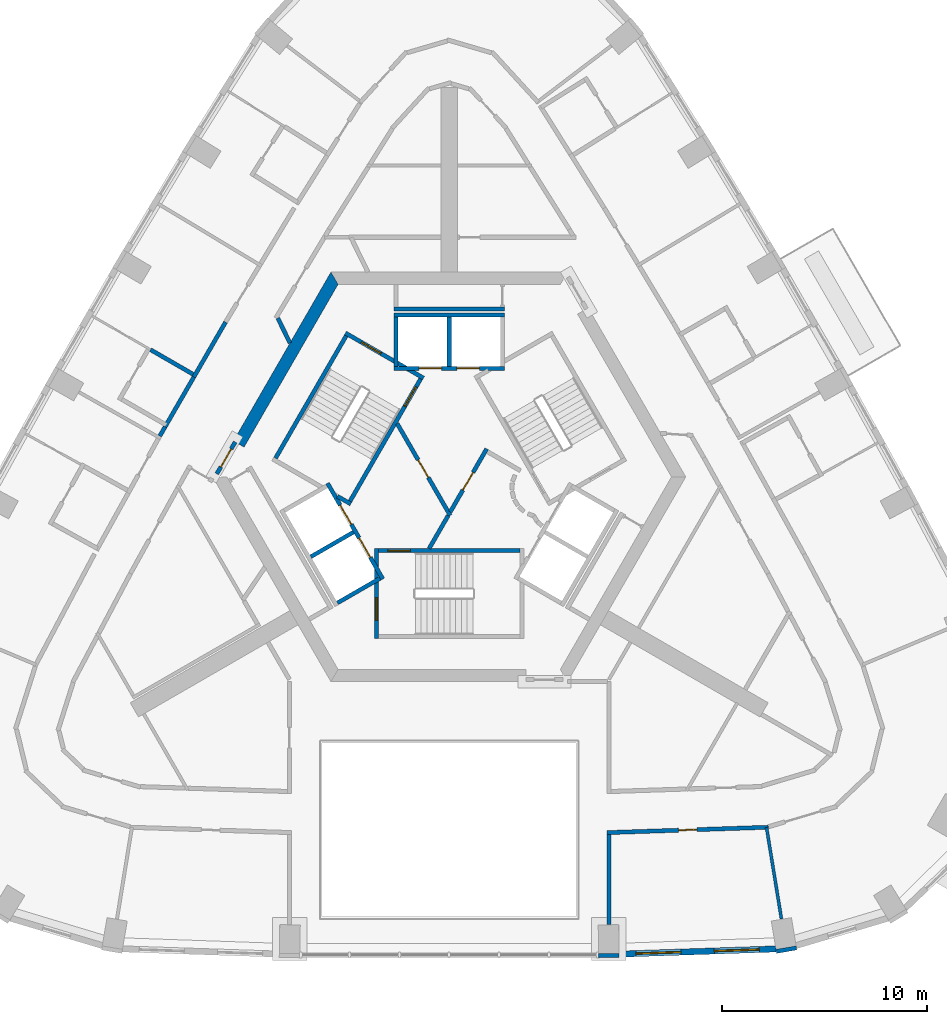
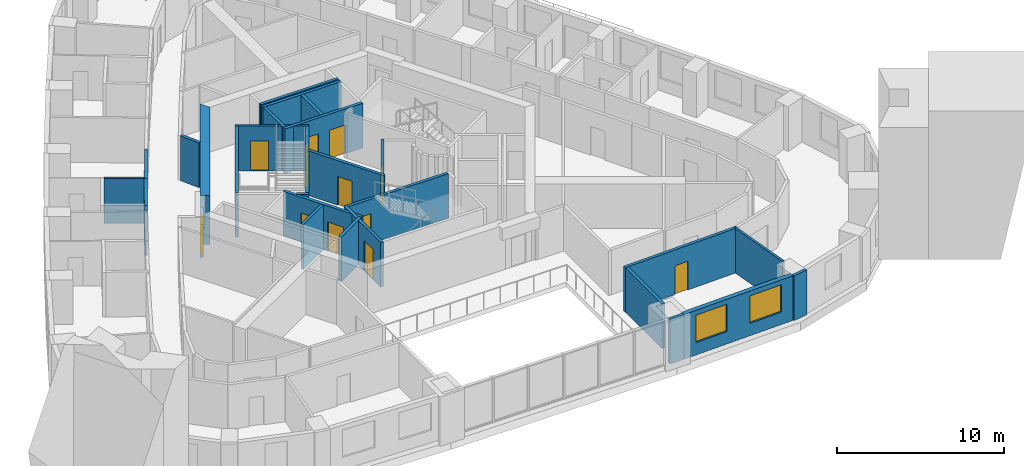
# One storey, part 5 of 13: 30 walls, 12 doors, 2 windows, 14 openings.
"""IFC4 building model written with IfcOpenShell, lengths in metres."""

from ifc_helpers import new_model, si_unit, direction, frame, frame_2d, origin, place, context, subcontext, project, spatial, polyline, rectangle, outline, extrude, material, layer, layer_set, type_object, element, fill, save


model = new_model("IFC4")

# Units and contexts
model_context = context("Model", 3, precision=1e-05, world=origin(), true_north=direction((0.0, 1.0)))
body_context = subcontext(model_context, "Body", "Model", "MODEL_VIEW")
ifc_project = project(units=[si_unit("LENGTHUNIT", "METRE"), si_unit("AREAUNIT", "SQUARE_METRE"), si_unit("VOLUMEUNIT", "CUBIC_METRE"), si_unit("PLANEANGLEUNIT", "RADIAN"), si_unit("MASSUNIT", "GRAM", prefix="KILO")], contexts=[model_context])

# Site, building, storey
site_placement = place(None, origin())
site = spatial("IfcSite", under=ifc_project, at=site_placement, CompositionType="ELEMENT")
building_placement = place(site_placement, origin())
building = spatial("IfcBuilding", under=site, at=building_placement, Name="Entoto Arch Interchange Tower", CompositionType="ELEMENT")
storey_placement = place(building_placement, frame((0.0, 0.0, 263.0)))
storey = spatial("IfcBuildingStorey", under=building, at=storey_placement, Name="L60", CompositionType="ELEMENT", Elevation=263.0)

# Wall, opening, door
ifc_material_1 = material(Name="Reinforced concrete C40/50", Category="concrete")
ifc_layer_1 = layer(ifc_material_1, 0.199951171875)
ifc_layer_set_1 = layer_set([ifc_layer_1], Name="Reinforced concrete C40/50")
wall_type_1 = type_object("IfcWallType", Name="CORE GAP INFILL WALL", PredefinedType="PARTITIONING", material=ifc_layer_set_1)
wall_1_placement = place(storey_placement, frame((-10.448974609375, 4.202880859375, 0.0), z_axis=(0.0, 0.0, 1.0), x_axis=(-0.499914839587, -0.866074565589, 0.0)))
wall_1 = element("IfcWall", 1, at=wall_1_placement, inside=storey, type_object=wall_type_1, Name="wall:L60:gap3", PredefinedType="PARTITIONING", context=body_context, shape_type="SweptSolid", body=[
    extrude(rectangle(XDim=1.794189453125, YDim=0.199951171875, at=frame_2d((0.89697265625, 0.0))), origin(), (0.0, 0.0, 1.0), 2.39990234375),
])
opening_1_placement = place(wall_1_placement, frame((0.39697265625, 0.0, 0.0)))
opening_1 = element("IfcOpeningElement", 2, at=opening_1_placement, cuts=wall_1, Name="Opening L60-D93", PredefinedType="OPENING", context=body_context, shape_type="SweptSolid", body=[
    extrude(rectangle(XDim=1.0, YDim=2.10009765625, at=frame_2d((0.5, 1.050048828125))), frame((0.0, 0.10986328125, 0.0), z_axis=(0.0, -1.0, 0.0), x_axis=(1.0, 0.0, 0.0)), (0.0, 0.0, 1.0), 0.219970703125),
])
ifc_material_2 = material(Name="Fire-rated Steel S235 door and frame", Category="steel")
door_type_1 = type_object("IfcDoorType", Name="DOOR FD-10 1000x2100", OperationType="SINGLE_SWING_LEFT", PredefinedType="DOOR", material=ifc_material_2)
door_1_placement = place(opening_1_placement, origin())
door_1 = element("IfcDoor", 3, at=door_1_placement, inside=storey, type_object=door_type_1, Name="door:L60:gap3", OperationType="SINGLE_SWING_LEFT", OverallHeight=2.10009765625, OverallWidth=1.0, PredefinedType="DOOR", context=body_context, shape_type="SweptSolid", body=[
    extrude(rectangle(XDim=1.0, YDim=2.10009765625, at=frame_2d((0.5, 1.050048828125))), frame((0.0, 0.02490234375, 0.0), z_axis=(0.0, -1.0, 0.0), x_axis=(1.0, 0.0, 0.0)), (0.0, 0.0, 1.0), 0.050048828125),
])
fill(opening_1, door_1)

# Wall
ifc_material_3 = material(Name="Concrete C40/50", Category="concrete")
ifc_layer_2 = layer(ifc_material_3, 0.60009765625)
ifc_layer_set_2 = layer_set([ifc_layer_2], Name="Concrete C40/50")
wall_type_2 = type_object("IfcWallType", Name="Core wall 600 C40/50", PredefinedType="SHEAR", material=ifc_layer_set_2)
wall_2_placement = place(storey_placement, frame((0.0, 0.0, -0.340087890625)))
element("IfcWall", 4, at=wall_2_placement, inside=storey, type_object=wall_type_2, Name="Core wall NW L60", PredefinedType="SHEAR", context=body_context, shape_type="SweptSolid", body=[
    extrude(outline(polyline([(-10.534912109375, 4.2529296875), (-10.014892578125, 3.952880859375), (-5.427001953125, 11.89990234375), (-5.77392578125, 12.5), (-10.534912109375, 4.2529296875)])), origin(), (0.0, 0.0, 1.0), 3.60009765625),
])

# Wall, openings, doors
ifc_layer_3 = layer(ifc_material_3, 0.199951171875)
ifc_layer_set_3 = layer_set([ifc_layer_3], Name="Concrete C40/50")
wall_type_3 = type_object("IfcWallType", Name="LIFT SHAFT WALL 200", PredefinedType="STANDARD", material=ifc_layer_set_3)
wall_3_placement = place(storey_placement, frame((2.699951171875, 7.800048828125, 0.0), z_axis=(0.0, 0.0, 1.0), x_axis=(-1.0, 0.0, 0.0)))
wall_3 = element("IfcWall", 5, at=wall_3_placement, inside=storey, type_object=wall_type_3, Name="Shaft wall N1 front", PredefinedType="STANDARD", context=body_context, shape_type="SweptSolid", body=[
    extrude(rectangle(XDim=5.39990234375, YDim=0.199951171875, at=frame_2d((2.699951171875, 0.0))), origin(), (0.0, 0.0, 1.0), 3.260009765625),
])
opening_2_placement = place(wall_3_placement, frame((1.22509765625, 0.0, 0.0)))
opening_2 = element("IfcOpeningElement", 6, at=opening_2_placement, cuts=wall_3, Name="Opening LD-HR1-L60", PredefinedType="OPENING", context=body_context, shape_type="SweptSolid", body=[
    extrude(rectangle(XDim=1.10009765625, YDim=2.10009765625, at=frame_2d((0.550048828125, 1.050048828125))), frame((0.0, 0.10986328125, 0.0), z_axis=(0.0, -1.0, 0.0), x_axis=(1.0, 0.0, 0.0)), (0.0, 0.0, 1.0), 0.219970703125),
])
opening_3_placement = place(wall_3_placement, frame((3.074951171875, 0.0, 0.0)))
opening_3 = element("IfcOpeningElement", 7, at=opening_3_placement, cuts=wall_3, Name="Opening LD-HR2-L60", PredefinedType="OPENING", context=body_context, shape_type="SweptSolid", body=[
    extrude(rectangle(XDim=1.10009765625, YDim=2.10009765625, at=frame_2d((0.550048828125, 1.050048828125))), frame((0.0, 0.10986328125, 0.0), z_axis=(0.0, -1.0, 0.0), x_axis=(1.0, 0.0, 0.0)), (0.0, 0.0, 1.0), 0.219970703125),
])
ifc_material_4 = material(Name="Stainless steel 1.4301 panels", Category="steel")
door_type_2 = type_object("IfcDoorType", Name="LIFT LANDING DOOR LD1 1100x2100", OperationType="SLIDING_TO_LEFT", PredefinedType="DOOR", material=ifc_material_4)
door_2_placement = place(opening_2_placement, origin())
door_2 = element("IfcDoor", 8, at=door_2_placement, inside=storey, type_object=door_type_2, Name="Lift landing door HR1 L60", OperationType="SLIDING_TO_LEFT", OverallHeight=2.10009765625, OverallWidth=1.10009765625, PredefinedType="DOOR", context=body_context, shape_type="SweptSolid", body=[
    extrude(rectangle(XDim=1.10009765625, YDim=2.10009765625, at=frame_2d((0.550048828125, 1.050048828125))), frame((0.0, 0.02490234375, 0.0), z_axis=(0.0, -1.0, 0.0), x_axis=(1.0, 0.0, 0.0)), (0.0, 0.0, 1.0), 0.050048828125),
])
fill(opening_2, door_2)
door_3_placement = place(opening_3_placement, origin())
door_3 = element("IfcDoor", 9, at=door_3_placement, inside=storey, type_object=door_type_2, Name="Lift landing door HR2 L60", OperationType="SLIDING_TO_LEFT", OverallHeight=2.10009765625, OverallWidth=1.10009765625, PredefinedType="DOOR", context=body_context, shape_type="SweptSolid", body=[
    extrude(rectangle(XDim=1.10009765625, YDim=2.10009765625, at=frame_2d((0.550048828125, 1.050048828125))), frame((0.0, 0.02490234375, 0.0), z_axis=(0.0, -1.0, 0.0), x_axis=(1.0, 0.0, 0.0)), (0.0, 0.0, 1.0), 0.050048828125),
])
fill(opening_3, door_3)

# Walls
wall_4_placement = place(storey_placement, frame((2.699951171875, 10.39990234375, 0.0), z_axis=(0.0, 0.0, 1.0), x_axis=(-1.0, 0.0, 0.0)))
element("IfcWall", 10, at=wall_4_placement, inside=storey, type_object=wall_type_3, Name="Shaft wall N1 back", PredefinedType="STANDARD", context=body_context, shape_type="SweptSolid", body=[
    extrude(rectangle(XDim=5.39990234375, YDim=0.199951171875, at=frame_2d((2.699951171875, 0.0))), origin(), (0.0, 0.0, 1.0), 3.260009765625),
])
for number, where, z_axis, x_axis, name in (
    (11, (0.0, 7.89990234375, 0.0), (0.0, 0.0, 1.0), (0.0, 1.0, 0.0), "Shaft wall N1 cross 2"),
    (12, (-2.60009765625, 7.89990234375, 0.0), (0.0, 0.0, 1.0), (0.0, 1.0, 0.0), "Shaft wall N1 cross 3"),
):
    element("IfcWall", number, at=place(storey_placement, frame(where, z_axis=z_axis, x_axis=x_axis)), inside=storey, type_object=wall_type_3, Name=name, PredefinedType="STANDARD", context=body_context, shape_type="SweptSolid", body=[
        extrude(rectangle(XDim=2.400146484375, YDim=0.199951171875, at=frame_2d((1.2001953125, 0.0))), origin(), (0.0, 0.0, 1.0), 3.260009765625),
    ])

# Wall, openings, doors
wall_5_placement = place(storey_placement, frame((-5.93994140625, 2.18798828125, 0.0), z_axis=(0.0, 0.0, 1.0), x_axis=(0.500034260056, -0.866005622828, 0.0)))
wall_5 = element("IfcWall", 13, at=wall_5_placement, inside=storey, type_object=wall_type_3, Name="Shaft wall SW1 front", PredefinedType="STANDARD", context=body_context, shape_type="SweptSolid", body=[
    extrude(rectangle(XDim=5.3994140625, YDim=0.199951171875, at=frame_2d((2.69970703125, 0.0))), origin(), (0.0, 0.0, 1.0), 3.260009765625),
])
opening_4_placement = place(wall_5_placement, frame((3.074951171875, 0.0, 0.0)))
opening_4 = element("IfcOpeningElement", 14, at=opening_4_placement, cuts=wall_5, Name="Opening LD-HR4-L60", PredefinedType="OPENING", context=body_context, shape_type="SweptSolid", body=[
    extrude(rectangle(XDim=1.10009765625, YDim=2.10009765625, at=frame_2d((0.550048828125, 1.050048828125))), frame((0.0, 0.10986328125, 0.0), z_axis=(0.0, -1.0, 0.0), x_axis=(1.0, 0.0, 0.0)), (0.0, 0.0, 1.0), 0.219970703125),
])
opening_5_placement = place(wall_5_placement, frame((1.22509765625, 0.0, 0.0)))
opening_5 = element("IfcOpeningElement", 15, at=opening_5_placement, cuts=wall_5, Name="Opening LD-FF2-L60", PredefinedType="OPENING", context=body_context, shape_type="SweptSolid", body=[
    extrude(rectangle(XDim=1.10009765625, YDim=2.10009765625, at=frame_2d((0.550048828125, 1.050048828125))), frame((0.0, 0.10986328125, 0.0), z_axis=(0.0, -1.0, 0.0), x_axis=(1.0, 0.0, 0.0)), (0.0, 0.0, 1.0), 0.219970703125),
])
door_4_placement = place(opening_4_placement, origin())
door_4 = element("IfcDoor", 16, at=door_4_placement, inside=storey, type_object=door_type_2, Name="Lift landing door HR4 L60", OperationType="SLIDING_TO_LEFT", OverallHeight=2.10009765625, OverallWidth=1.10009765625, PredefinedType="DOOR", context=body_context, shape_type="SweptSolid", body=[
    extrude(rectangle(XDim=1.10009765625, YDim=2.10009765625, at=frame_2d((0.550048828125, 1.050048828125))), frame((0.0, 0.02490234375, 0.0), z_axis=(0.0, -1.0, 0.0), x_axis=(1.0, 0.0, 0.0)), (0.0, 0.0, 1.0), 0.050048828125),
])
fill(opening_4, door_4)
door_5_placement = place(opening_5_placement, origin())
door_5 = element("IfcDoor", 17, at=door_5_placement, inside=storey, type_object=door_type_2, Name="Lift landing door FF2 L60", OperationType="SLIDING_TO_LEFT", OverallHeight=2.10009765625, OverallWidth=1.10009765625, PredefinedType="DOOR", context=body_context, shape_type="SweptSolid", body=[
    extrude(rectangle(XDim=1.10009765625, YDim=2.10009765625, at=frame_2d((0.550048828125, 1.050048828125))), frame((0.0, 0.02490234375, 0.0), z_axis=(0.0, -1.0, 0.0), x_axis=(1.0, 0.0, 0.0)), (0.0, 0.0, 1.0), 0.050048828125),
])
fill(opening_5, door_5)

# Walls
wall_6_placement = place(storey_placement, frame((-4.677001953125, -0.199951171875, 0.0), z_axis=(0.0, 0.0, 1.0), x_axis=(-0.865973769406, -0.500089422704, 0.0)))
element("IfcWall", 18, at=wall_6_placement, inside=storey, type_object=wall_type_3, Name="Shaft wall SW1 cross 2", PredefinedType="STANDARD", context=body_context, shape_type="SweptSolid", body=[
    extrude(rectangle(XDim=2.3994140625, YDim=0.199951171875, at=frame_2d((1.19970703125, 0.0))), origin(), (0.0, 0.0, 1.0), 3.260009765625),
])
wall_7_placement = place(storey_placement, frame((-3.376953125, -2.451904296875, 0.0), z_axis=(0.0, 0.0, 1.0), x_axis=(-0.865955154139, -0.50012165622, 0.0)))
element("IfcWall", 19, at=wall_7_placement, inside=storey, type_object=wall_type_3, Name="Shaft wall SW1 cross 3", PredefinedType="STANDARD", context=body_context, shape_type="SweptSolid", body=[
    extrude(rectangle(XDim=2.39990234375, YDim=0.199951171875, at=frame_2d((1.199951171875, 0.0))), origin(), (0.0, 0.0, 1.0), 3.260009765625),
])
ifc_material_5 = material(Name="Gypsum board partition on steel studs", Category="steel")
ifc_layer_4 = layer(ifc_material_5, 0.14990234375)
ifc_layer_set_4 = layer_set([ifc_layer_4], Name="Gypsum board partition on steel studs")
wall_type_4 = type_object("IfcWallType", Name="PARTITION 150", PredefinedType="PARTITIONING", material=ifc_layer_set_4)
wall_8_placement = place(storey_placement, frame((15.490966796875, -14.610107421875, 0.0), z_axis=(0.0, 0.0, 1.0), x_axis=(0.160928343418, -0.986966092774, 0.0)))
element("IfcWall", 20, at=wall_8_placement, inside=storey, type_object=wall_type_4, Name="wall:L60:p111", PredefinedType="PARTITIONING", context=body_context, shape_type="SweptSolid", body=[
    extrude(rectangle(XDim=4.530029296875, YDim=0.14990234375, at=frame_2d((2.26513671875, 0.0))), origin(), (0.0, 0.0, 1.0), 3.260009765625),
])
ifc_layer_5 = layer(ifc_material_5, 0.199951171875)
ifc_layer_set_5 = layer_set([ifc_layer_5], Name="Gypsum board partition on steel studs")
wall_type_5 = type_object("IfcWallType", Name="PARTITION 200", PredefinedType="PARTITIONING", material=ifc_layer_set_5)
wall_9_placement = place(storey_placement, frame((-8.3701171875, 10.251953125, 0.0), z_axis=(0.0, 0.0, 1.0), x_axis=(0.440562172885, -0.897722101668, 0.0)))
element("IfcWall", 21, at=wall_9_placement, inside=storey, type_object=wall_type_5, Name="wall:L60:p005", PredefinedType="PARTITIONING", context=body_context, shape_type="SweptSolid", body=[
    extrude(rectangle(XDim=1.353271484375, YDim=0.199951171875, at=frame_2d((0.6767578125, 0.0))), origin(), (0.0, 0.0, 1.0), 3.260009765625),
])

# Wall, opening, door
wall_10_placement = place(storey_placement, frame((15.591064453125, -14.60595703125, 0.0), z_axis=(0.0, 0.0, 1.0), x_axis=(-0.999445318732, -0.03330247535, 0.0)))
wall_10 = element("IfcWall", 22, at=wall_10_placement, inside=storey, type_object=wall_type_5, Name="wall:L60:p038", PredefinedType="PARTITIONING", context=body_context, shape_type="SweptSolid", body=[
    extrude(rectangle(XDim=7.8955078125, YDim=0.199951171875, at=frame_2d((3.94775390625, 0.0))), origin(), (0.0, 0.0, 1.0), 3.260009765625),
])
opening_6_placement = place(wall_10_placement, frame((3.498046875, 0.0, 0.0)))
opening_6 = element("IfcOpeningElement", 23, at=opening_6_placement, cuts=wall_10, Name="Opening L60-D19", PredefinedType="OPENING", context=body_context, shape_type="SweptSolid", body=[
    extrude(rectangle(XDim=0.89990234375, YDim=2.10009765625, at=frame_2d((0.449951171875, 1.050048828125))), frame((0.0, 0.10986328125, 0.0), z_axis=(0.0, -1.0, 0.0), x_axis=(1.0, 0.0, 0.0)), (0.0, 0.0, 1.0), 0.219970703125),
])
ifc_material_6 = material(Name="Timber door leaf in Steel S235 frame", Category="steel")
door_type_3 = type_object("IfcDoorType", Name="DOOR DS-09 900x2100", OperationType="SINGLE_SWING_LEFT", PredefinedType="DOOR", material=ifc_material_6)
door_6_placement = place(opening_6_placement, origin())
door_6 = element("IfcDoor", 24, at=door_6_placement, inside=storey, type_object=door_type_3, Name="door:L60:19", OperationType="SINGLE_SWING_LEFT", OverallHeight=2.10009765625, OverallWidth=0.89990234375, PredefinedType="DOOR", context=body_context, shape_type="SweptSolid", body=[
    extrude(rectangle(XDim=0.89990234375, YDim=2.10009765625, at=frame_2d((0.449951171875, 1.050048828125))), frame((0.0, 0.02490234375, 0.0), z_axis=(0.0, -1.0, 0.0), x_axis=(1.0, 0.0, 0.0)), (0.0, 0.0, 1.0), 0.050048828125),
])
fill(opening_6, door_6)

# Walls
wall_11_placement = place(storey_placement, frame((-12.468994140625, 7.373046875, 0.0), z_axis=(0.0, 0.0, 1.0), x_axis=(0.500129289791, 0.86595074542, 0.0)))
element("IfcWall", 25, at=wall_11_placement, inside=storey, type_object=wall_type_5, Name="wall:L60:p060", PredefinedType="PARTITIONING", context=body_context, shape_type="SweptSolid", body=[
    extrude(rectangle(XDim=3.099365234375, YDim=0.199951171875, at=frame_2d((1.5498046875, 0.0))), origin(), (0.0, 0.0, 1.0), 3.260009765625),
])
wall_12_placement = place(storey_placement, frame((-14.132080078125, 4.491943359375, 0.0), z_axis=(0.0, 0.0, 1.0), x_axis=(0.499829488579, 0.86612382622, 0.0)))
element("IfcWall", 26, at=wall_12_placement, inside=storey, type_object=wall_type_5, Name="wall:L60:p062", PredefinedType="PARTITIONING", context=body_context, shape_type="SweptSolid", body=[
    extrude(rectangle(XDim=0.526611328125, YDim=0.199951171875, at=frame_2d((0.26318359375, 0.0))), origin(), (0.0, 0.0, 1.0), 3.260009765625),
])
wall_13_placement = place(storey_placement, frame((-13.868896484375, 4.947998046875, 0.0), z_axis=(0.0, 0.0, 1.0), x_axis=(0.49994636267, 0.866056369097, 0.0)))
element("IfcWall", 27, at=wall_13_placement, inside=storey, type_object=wall_type_5, Name="wall:L60:p063", PredefinedType="PARTITIONING", context=body_context, shape_type="SweptSolid", body=[
    extrude(rectangle(XDim=2.800048828125, YDim=0.199951171875, at=frame_2d((1.39990234375, 0.0))), origin(), (0.0, 0.0, 1.0), 3.260009765625),
])
wall_14_placement = place(storey_placement, frame((2.699951171875, 10.699951171875, 0.0), z_axis=(0.0, 0.0, 1.0), x_axis=(-1.0, 0.0, 0.0)))
element("IfcWall", 28, at=wall_14_placement, inside=storey, type_object=wall_type_5, Name="wall:L60:p074", PredefinedType="PARTITIONING", context=body_context, shape_type="SweptSolid", body=[
    extrude(rectangle(XDim=5.39990234375, YDim=0.199951171875, at=frame_2d((2.699951171875, 0.0))), origin(), (0.0, 0.0, 1.0), 3.260009765625),
])
wall_15_placement = place(storey_placement, frame((-0.98193359375, -1.0, 0.0), z_axis=(0.0, 0.0, 1.0), x_axis=(0.50024047865, 0.865886518847, 0.0)))
element("IfcWall", 29, at=wall_15_placement, inside=storey, type_object=wall_type_5, Name="wall:L60:p086", PredefinedType="PARTITIONING", context=body_context, shape_type="SweptSolid", body=[
    extrude(rectangle(XDim=1.86279296875, YDim=0.199951171875, at=frame_2d((0.931396484375, 0.0))), origin(), (0.0, 0.0, 1.0), 3.260009765625),
])

# Wall, opening, door
wall_16_placement = place(storey_placement, frame((0.050048828125, 0.787109375, 0.0), z_axis=(0.0, 0.0, 1.0), x_axis=(0.499954076797, 0.866051915934, 0.0)))
wall_16 = element("IfcWall", 30, at=wall_16_placement, inside=storey, type_object=wall_type_5, Name="wall:L60:p087", PredefinedType="PARTITIONING", context=body_context, shape_type="SweptSolid", body=[
    extrude(rectangle(XDim=3.558349609375, YDim=0.199951171875, at=frame_2d((1.779296875, 0.0))), origin(), (0.0, 0.0, 1.0), 3.260009765625),
])
opening_7_placement = place(wall_16_placement, frame((1.22900390625, 0.0, 0.0)))
opening_7 = element("IfcOpeningElement", 31, at=opening_7_placement, cuts=wall_16, Name="Opening L60-D35", PredefinedType="OPENING", context=body_context, shape_type="SweptSolid", body=[
    extrude(rectangle(XDim=1.0, YDim=2.10009765625, at=frame_2d((0.5, 1.050048828125))), frame((0.0, 0.10986328125, 0.0), z_axis=(0.0, -1.0, 0.0), x_axis=(1.0, 0.0, 0.0)), (0.0, 0.0, 1.0), 0.219970703125),
])
door_7_placement = place(opening_7_placement, origin())
door_7 = element("IfcDoor", 32, at=door_7_placement, inside=storey, type_object=door_type_1, Name="door:L60:35", OperationType="SINGLE_SWING_RIGHT", OverallHeight=2.10009765625, OverallWidth=1.0, PredefinedType="DOOR", context=body_context, shape_type="SweptSolid", body=[
    extrude(rectangle(XDim=1.0, YDim=2.10009765625, at=frame_2d((0.5, 1.050048828125))), frame((0.0, 0.02490234375, 0.0), z_axis=(0.0, -1.0, 0.0), x_axis=(1.0, 0.0, 0.0)), (0.0, 0.0, 1.0), 0.050048828125),
])
fill(opening_7, door_7)

wall_17_placement = place(storey_placement, frame((-2.5400390625, 5.10009765625, 0.0), z_axis=(0.0, 0.0, 1.0), x_axis=(0.499925051871, -0.866068670783, 0.0)))
wall_17 = element("IfcWall", 33, at=wall_17_placement, inside=storey, type_object=wall_type_5, Name="wall:L60:p097", PredefinedType="PARTITIONING", context=body_context, shape_type="SweptSolid", body=[
    extrude(rectangle(XDim=5.180908203125, YDim=0.199951171875, at=frame_2d((2.59033203125, 0.0))), origin(), (0.0, 0.0, 1.0), 3.260009765625),
])
opening_8_placement = place(wall_17_placement, frame((2.0400390625, 0.0, 0.0)))
opening_8 = element("IfcOpeningElement", 34, at=opening_8_placement, cuts=wall_17, Name="Opening L60-D36", PredefinedType="OPENING", context=body_context, shape_type="SweptSolid", body=[
    extrude(rectangle(XDim=1.0, YDim=2.10009765625, at=frame_2d((0.5, 1.050048828125))), frame((0.0, 0.10986328125, 0.0), z_axis=(0.0, -1.0, 0.0), x_axis=(1.0, 0.0, 0.0)), (0.0, 0.0, 1.0), 0.219970703125),
])
door_8_placement = place(opening_8_placement, origin())
door_8 = element("IfcDoor", 35, at=door_8_placement, inside=storey, type_object=door_type_1, Name="door:L60:36", OperationType="SINGLE_SWING_RIGHT", OverallHeight=2.10009765625, OverallWidth=1.0, PredefinedType="DOOR", context=body_context, shape_type="SweptSolid", body=[
    extrude(rectangle(XDim=1.0, YDim=2.10009765625, at=frame_2d((0.5, 1.050048828125))), frame((0.0, 0.02490234375, 0.0), z_axis=(0.0, -1.0, 0.0), x_axis=(1.0, 0.0, 0.0)), (0.0, 0.0, 1.0), 0.050048828125),
])
fill(opening_8, door_8)

# Walls
wall_18_placement = place(storey_placement, frame((7.800048828125, -14.966064453125, 0.0), z_axis=(0.0, 0.0, 1.0), x_axis=(0.0, -1.0, 0.0)))
element("IfcWall", 36, at=wall_18_placement, inside=storey, type_object=wall_type_5, Name="wall:L60:p102", PredefinedType="PARTITIONING", context=body_context, shape_type="SweptSolid", body=[
    extrude(rectangle(XDim=4.383056640625, YDim=0.199951171875, at=frame_2d((2.19140625, 0.0))), origin(), (0.0, 0.0, 1.0), 3.260009765625),
])
wall_19_placement = place(storey_placement, frame((-12.5048828125, 7.510009765625, 0.0), z_axis=(0.0, 0.0, 1.0), x_axis=(-0.866277021052, 0.499563932643, 0.0)))
element("IfcWall", 37, at=wall_19_placement, inside=storey, type_object=wall_type_5, Name="wall:L60:p135", PredefinedType="PARTITIONING", context=body_context, shape_type="SweptSolid", body=[
    extrude(rectangle(XDim=2.400146484375, YDim=0.199951171875, at=frame_2d((1.2001953125, 0.0))), origin(), (0.0, 0.0, 1.0), 3.260009765625),
])

# Wall, opening, door
ifc_layer_6 = layer(ifc_material_3, 0.199951171875)
ifc_layer_set_6 = layer_set([ifc_layer_6], Name="Concrete C40/50")
wall_type_6 = type_object("IfcWallType", Name="STAIR ENCLOSURE WALL 200", PredefinedType="STANDARD", material=ifc_layer_set_6)
wall_20_placement = place(storey_placement, frame((-3.550048828125, -1.0, 0.0), z_axis=(0.0, 0.0, 1.0), x_axis=(0.0, -1.0, 0.0)))
wall_20 = element("IfcWall", 38, at=wall_20_placement, inside=storey, type_object=wall_type_6, Name="Stair wall ST-S near", PredefinedType="STANDARD", context=body_context, shape_type="SweptSolid", body=[
    extrude(rectangle(XDim=4.39990234375, YDim=0.199951171875, at=frame_2d((2.199951171875, 0.0))), origin(), (0.0, 0.0, 1.0), 3.260009765625),
])
opening_9_placement = place(wall_20_placement, frame((2.39990234375, 0.0, 0.0)))
opening_9 = element("IfcOpeningElement", 39, at=opening_9_placement, cuts=wall_20, Name="Opening SD-ST-S-L60-E", PredefinedType="OPENING", context=body_context, shape_type="SweptSolid", body=[
    extrude(rectangle(XDim=1.10009765625, YDim=2.199951171875, at=frame_2d((0.550048828125, 1.10009765625))), frame((0.0, 0.10986328125, 0.0), z_axis=(0.0, -1.0, 0.0), x_axis=(1.0, 0.0, 0.0)), (0.0, 0.0, 1.0), 0.219970703125),
])
ifc_material_7 = material(Name="Steel S235", Category="steel")
door_type_4 = type_object("IfcDoorType", Name="STAIR DOOR SD1 1100x2200", OperationType="SINGLE_SWING_LEFT", PredefinedType="DOOR", material=ifc_material_7)
door_9_placement = place(opening_9_placement, origin())
door_9 = element("IfcDoor", 40, at=door_9_placement, inside=storey, type_object=door_type_4, Name="Stair door ST-S L60 end", OperationType="SINGLE_SWING_LEFT", OverallHeight=2.199951171875, OverallWidth=1.10009765625, PredefinedType="DOOR", context=body_context, shape_type="SweptSolid", body=[
    extrude(rectangle(XDim=1.10009765625, YDim=2.199951171875, at=frame_2d((0.550048828125, 1.10009765625))), frame((0.0, 0.02490234375, 0.0), z_axis=(0.0, -1.0, 0.0), x_axis=(1.0, 0.0, 0.0)), (0.0, 0.0, 1.0), 0.050048828125),
])
fill(opening_9, door_9)

wall_21_placement = place(storey_placement, frame((-3.449951171875, -1.10009765625, 0.0), z_axis=(0.0, 0.0, 1.0), x_axis=(1.0, 0.0, 0.0)))
wall_21 = element("IfcWall", 41, at=wall_21_placement, inside=storey, type_object=wall_type_6, Name="Stair wall ST-S hall", PredefinedType="STANDARD", context=body_context, shape_type="SweptSolid", body=[
    extrude(rectangle(XDim=6.89990234375, YDim=0.199951171875, at=frame_2d((3.449951171875, 0.0))), origin(), (0.0, 0.0, 1.0), 3.260009765625),
])
opening_10_placement = place(wall_21_placement, frame((0.449951171875, 0.0, 0.0)))
opening_10 = element("IfcOpeningElement", 42, at=opening_10_placement, cuts=wall_21, Name="Opening SD-ST-S-L60", PredefinedType="OPENING", context=body_context, shape_type="SweptSolid", body=[
    extrude(rectangle(XDim=1.10009765625, YDim=2.199951171875, at=frame_2d((0.550048828125, 1.10009765625))), frame((0.0, 0.10986328125, 0.0), z_axis=(0.0, -1.0, 0.0), x_axis=(1.0, 0.0, 0.0)), (0.0, 0.0, 1.0), 0.219970703125),
])
door_10_placement = place(opening_10_placement, origin())
door_10 = element("IfcDoor", 43, at=door_10_placement, inside=storey, type_object=door_type_4, Name="Stair door ST-S L60", OperationType="SINGLE_SWING_LEFT", OverallHeight=2.199951171875, OverallWidth=1.10009765625, PredefinedType="DOOR", context=body_context, shape_type="SweptSolid", body=[
    extrude(rectangle(XDim=1.10009765625, YDim=2.199951171875, at=frame_2d((0.550048828125, 1.10009765625))), frame((0.0, 0.02490234375, 0.0), z_axis=(0.0, -1.0, 0.0), x_axis=(1.0, 0.0, 0.0)), (0.0, 0.0, 1.0), 0.050048828125),
])
fill(opening_10, door_10)

wall_22_placement = place(storey_placement, frame((-1.256103515625, 7.323974609375, 0.0), z_axis=(0.0, 0.0, 1.0), x_axis=(-0.866046073146, 0.499964197906, 0.0)))
wall_22 = element("IfcWall", 44, at=wall_22_placement, inside=storey, type_object=wall_type_6, Name="Stair wall ST-NW near", PredefinedType="STANDARD", context=body_context, shape_type="SweptSolid", body=[
    extrude(rectangle(XDim=4.400146484375, YDim=0.199951171875, at=frame_2d((2.2001953125, 0.0))), origin(), (0.0, 0.0, 1.0), 3.260009765625),
])
opening_11_placement = place(wall_22_placement, frame((2.39990234375, 0.0, 0.0)))
opening_11 = element("IfcOpeningElement", 45, at=opening_11_placement, cuts=wall_22, Name="Opening SD-ST-NW-L60-E", PredefinedType="OPENING", context=body_context, shape_type="SweptSolid", body=[
    extrude(rectangle(XDim=1.10009765625, YDim=2.199951171875, at=frame_2d((0.550048828125, 1.10009765625))), frame((0.0, 0.10986328125, 0.0), z_axis=(0.0, -1.0, 0.0), x_axis=(1.0, 0.0, 0.0)), (0.0, 0.0, 1.0), 0.219970703125),
])
door_11_placement = place(opening_11_placement, origin())
door_11 = element("IfcDoor", 46, at=door_11_placement, inside=storey, type_object=door_type_4, Name="Stair door ST-NW L60 end", OperationType="SINGLE_SWING_LEFT", OverallHeight=2.199951171875, OverallWidth=1.10009765625, PredefinedType="DOOR", context=body_context, shape_type="SweptSolid", body=[
    extrude(rectangle(XDim=1.10009765625, YDim=2.199951171875, at=frame_2d((0.550048828125, 1.10009765625))), frame((0.0, 0.02490234375, 0.0), z_axis=(0.0, -1.0, 0.0), x_axis=(1.0, 0.0, 0.0)), (0.0, 0.0, 1.0), 0.050048828125),
])
fill(opening_11, door_11)

# Wall
wall_23_placement = place(storey_placement, frame((-4.805908203125, 1.176025390625, 0.0), z_axis=(0.0, 0.0, 1.0), x_axis=(-0.866558586415, 0.499075361355, 0.0)))
element("IfcWall", 47, at=wall_23_placement, inside=storey, type_object=wall_type_6, Name="Stair wall ST-NW far return", PredefinedType="STANDARD", context=body_context, shape_type="SweptSolid", body=[
    extrude(rectangle(XDim=0.75146484375, YDim=0.199951171875, at=frame_2d((0.375732421875, 0.0))), origin(), (0.0, 0.0, 1.0), 3.260009765625),
])

# Wall, opening, door
wall_24_placement = place(storey_placement, frame((-1.39306640625, 7.2880859375, 0.0), z_axis=(0.0, 0.0, 1.0), x_axis=(-0.499963383562, -0.866046543262, 0.0)))
wall_24 = element("IfcWall", 48, at=wall_24_placement, inside=storey, type_object=wall_type_6, Name="Stair wall ST-NW hall", PredefinedType="STANDARD", context=body_context, shape_type="SweptSolid", body=[
    extrude(rectangle(XDim=6.900390625, YDim=0.199951171875, at=frame_2d((3.4501953125, 0.0))), origin(), (0.0, 0.0, 1.0), 3.260009765625),
])
opening_12_placement = place(wall_24_placement, frame((0.449951171875, 0.0, 0.0)))
opening_12 = element("IfcOpeningElement", 49, at=opening_12_placement, cuts=wall_24, Name="Opening SD-ST-NW-L60", PredefinedType="OPENING", context=body_context, shape_type="SweptSolid", body=[
    extrude(rectangle(XDim=1.10009765625, YDim=2.199951171875, at=frame_2d((0.550048828125, 1.10009765625))), frame((0.0, 0.10986328125, 0.0), z_axis=(0.0, -1.0, 0.0), x_axis=(1.0, 0.0, 0.0)), (0.0, 0.0, 1.0), 0.219970703125),
])
door_12_placement = place(opening_12_placement, origin())
door_12 = element("IfcDoor", 50, at=door_12_placement, inside=storey, type_object=door_type_4, Name="Stair door ST-NW L60", OperationType="SINGLE_SWING_LEFT", OverallHeight=2.199951171875, OverallWidth=1.10009765625, PredefinedType="DOOR", context=body_context, shape_type="SweptSolid", body=[
    extrude(rectangle(XDim=1.10009765625, YDim=2.199951171875, at=frame_2d((0.550048828125, 1.10009765625))), frame((0.0, 0.02490234375, 0.0), z_axis=(0.0, -1.0, 0.0), x_axis=(1.0, 0.0, 0.0)), (0.0, 0.0, 1.0), 0.050048828125),
])
fill(opening_12, door_12)

# Wall
wall_25_placement = place(storey_placement, frame((-5.030029296875, 9.387939453125, 0.0), z_axis=(0.0, 0.0, 1.0), x_axis=(-0.499978703459, -0.866037698999, 0.0)))
element("IfcWall", 51, at=wall_25_placement, inside=storey, type_object=wall_type_6, Name="Stair wall ST-NW back", PredefinedType="STANDARD", context=body_context, shape_type="SweptSolid", body=[
    extrude(rectangle(XDim=6.900146484375, YDim=0.199951171875, at=frame_2d((3.4501953125, 0.0))), origin(), (0.0, 0.0, 1.0), 3.260009765625),
])

# Wall, openings, windows
ifc_material_8 = material(Name="Welded tuff (ignimbrite) cladding, warm buff", Category="masonry")
ifc_layer_7 = layer(ifc_material_8, 0.300048828125)
ifc_layer_set_7 = layer_set([ifc_layer_7], Name="Welded tuff (ignimbrite) cladding, warm buff")
wall_type_7 = type_object("IfcWallType", Name="STONE INFILL WALL 300", PredefinedType="STANDARD", material=ifc_layer_set_7)
wall_26_placement = place(storey_placement, frame((8.2958984375, -20.802001953125, 0.0), z_axis=(0.0, 0.0, 1.0), x_axis=(0.999450376985, 0.033150323459, 0.0)))
wall_26 = element("IfcWall", 52, at=wall_26_placement, inside=storey, type_object=wall_type_7, Name="Facade wall S-03 L60", PredefinedType="STANDARD", context=body_context, shape_type="SweptSolid", body=[
    extrude(rectangle(XDim=7.6591796875, YDim=0.300048828125, at=frame_2d((3.82958984375, 0.0))), origin(), (0.0, 0.0, 1.0), 3.260009765625),
])
opening_13_placement = place(wall_26_placement, frame((0.81494140625, 0.0, 0.89990234375)))
opening_13 = element("IfcOpeningElement", 53, at=opening_13_placement, cuts=wall_26, Name="Opening WH-A", PredefinedType="OPENING", context=body_context, shape_type="SweptSolid", body=[
    extrude(rectangle(XDim=2.199951171875, YDim=2.0, at=frame_2d((1.10009765625, 1.0))), frame((0.0, 0.16015625, 0.0), z_axis=(0.0, -1.0, 0.0), x_axis=(1.0, 0.0, 0.0)), (0.0, 0.0, 1.0), 0.320068359375),
])
opening_14_placement = place(wall_26_placement, frame((4.64404296875, 0.0, 0.89990234375)))
opening_14 = element("IfcOpeningElement", 54, at=opening_14_placement, cuts=wall_26, Name="Opening WH-A", PredefinedType="OPENING", context=body_context, shape_type="SweptSolid", body=[
    extrude(rectangle(XDim=2.199951171875, YDim=2.0, at=frame_2d((1.10009765625, 1.0))), frame((0.0, 0.16015625, 0.0), z_axis=(0.0, -1.0, 0.0), x_axis=(1.0, 0.0, 0.0)), (0.0, 0.0, 1.0), 0.320068359375),
])
ifc_material_9 = material(Name="Clear glass, low-e double glazed", Category="glass")
window_type = type_object("IfcWindowType", Name="WINDOW WH-A 2200x2000", PartitioningType="DOUBLE_PANEL_VERTICAL", PredefinedType="WINDOW", material=ifc_material_9)
window_1_placement = place(opening_13_placement, origin())
window_1 = element("IfcWindow", 55, at=window_1_placement, inside=storey, type_object=window_type, Name="Window WH-A S-03 L60", OverallHeight=2.0, OverallWidth=2.199951171875, PartitioningType="SINGLE_PANEL", PredefinedType="WINDOW", context=body_context, shape_type="SweptSolid", body=[
    extrude(rectangle(XDim=2.199951171875, YDim=2.0, at=frame_2d((1.10009765625, 1.0))), frame((0.0, 0.030029296875, 0.0), z_axis=(0.0, -1.0, 0.0), x_axis=(1.0, 0.0, 0.0)), (0.0, 0.0, 1.0), 0.06005859375),
])
fill(opening_13, window_1)
window_2_placement = place(opening_14_placement, origin())
window_2 = element("IfcWindow", 56, at=window_2_placement, inside=storey, type_object=window_type, Name="Window WH-A S-03 L60", OverallHeight=2.0, OverallWidth=2.199951171875, PartitioningType="SINGLE_PANEL", PredefinedType="WINDOW", context=body_context, shape_type="SweptSolid", body=[
    extrude(rectangle(XDim=2.199951171875, YDim=2.0, at=frame_2d((1.10009765625, 1.0))), frame((0.0, 0.030029296875, 0.0), z_axis=(0.0, -1.0, 0.0), x_axis=(1.0, 0.0, 0.0)), (0.0, 0.0, 1.0), 0.06005859375),
])
fill(opening_14, window_2)

# Walls
ifc_layer_8 = layer(ifc_material_8, 0.199951171875)
ifc_layer_set_8 = layer_set([ifc_layer_8], Name="Welded tuff (ignimbrite) cladding, warm buff")
wall_type_8 = type_object("IfcWallType", Name="STONE PIER CLADDING 200", PredefinedType="STANDARD", material=ifc_layer_set_8)
for number, where, z_axis, x_axis, name in (
    (57, (7.298095703125, -20.8779296875, 0.0), (0.0, 0.0, 1.0), (0.999841221248, 0.017819435828, 0.0), "Stone pier S03 L60"),
    (58, (15.969970703125, -20.6650390625, 0.0), (0.0, 0.0, 1.0), (0.985961725342, 0.166971483074, 0.0), "Stone pier S04 L60"),
):
    element("IfcWall", number, at=place(storey_placement, frame(where, z_axis=z_axis, x_axis=x_axis)), inside=storey, type_object=wall_type_8, Name=name, PredefinedType="STANDARD", context=body_context, shape_type="SweptSolid", body=[
        extrude(rectangle(XDim=1.000244140625, YDim=0.199951171875, at=frame_2d((0.5, 0.0))), origin(), (0.0, 0.0, 1.0), 3.260009765625),
    ])

save(model, "model.ifc")
